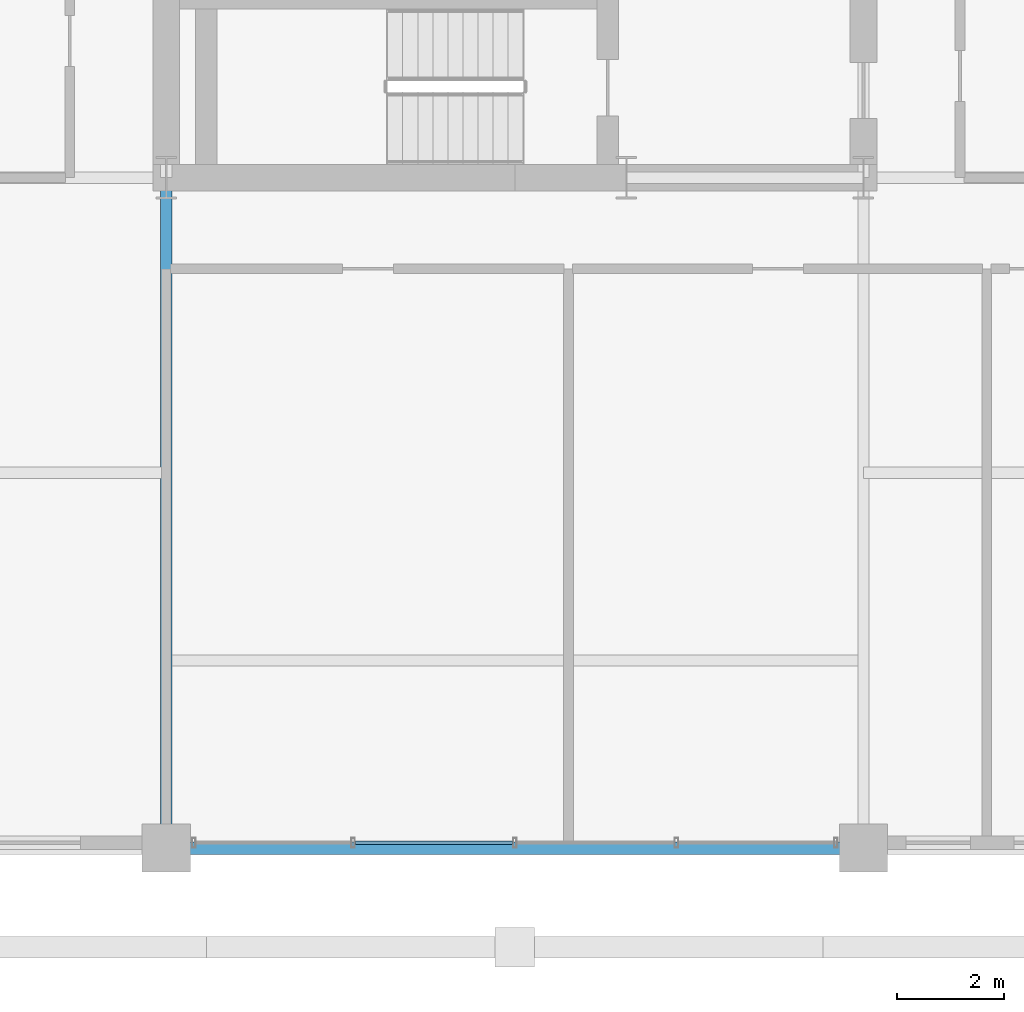
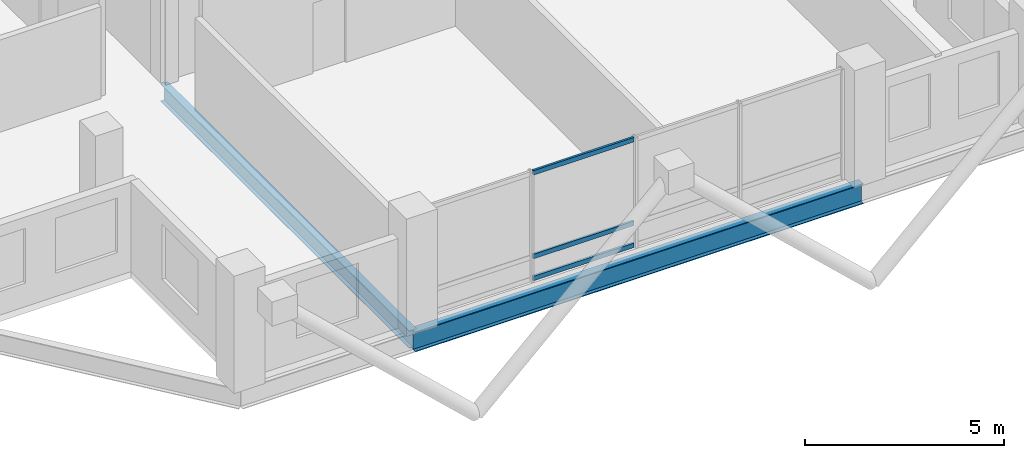
# One storey, part 4 of 22: 3 members, 2 beams, 1 element without a shape of its own.
"""IFC4 building model written with IfcOpenShell, lengths in metres."""

from ifc_helpers import new_model, si_unit, direction, frame, origin, origin_2d, place, context, subcontext, project, spatial, hollow_rectangle, i_section, extrude, material, layer, layer_set, material_profile, profile_set, type_object, element, aggregate, save


model = new_model("IFC4")

# Units and contexts
model_context = context("Model", 3, precision=1e-05, world=origin(), true_north=direction((0.0, 1.0)))
body_context = subcontext(model_context, "Body", "Model", "MODEL_VIEW")
ifc_project = project(units=[si_unit("LENGTHUNIT", "METRE"), si_unit("AREAUNIT", "SQUARE_METRE"), si_unit("VOLUMEUNIT", "CUBIC_METRE"), si_unit("PLANEANGLEUNIT", "RADIAN"), si_unit("MASSUNIT", "GRAM", prefix="KILO")], contexts=[model_context])

# Site, building, storey
site_placement = place(None, origin())
site = spatial("IfcSite", under=ifc_project, at=site_placement, CompositionType="ELEMENT")
building_placement = place(site_placement, origin())
building = spatial("IfcBuilding", under=site, at=building_placement, Name="Barlavira Tower and Art Museum", CompositionType="ELEMENT")
storey_placement = place(building_placement, frame((0.0, 0.0, 258.300048828125)))
storey = spatial("IfcBuildingStorey", under=building, at=storey_placement, Name="L67", CompositionType="ELEMENT", Elevation=258.300048828125)

# Curtain wall, members
ifc_material_1 = material(Name="Low-iron coastal laminated glass", Category="glass")
ifc_layer = layer(ifc_material_1, 0.2099609375, Name="Low-iron coastal laminated glass")
ifc_layer_set = layer_set([ifc_layer], Name="Low-iron coastal laminated glass")
curtain_wall_type = type_object("IfcCurtainWallType", Name="Pale-Metal Unitised Curtain Wall Zone 4", PredefinedType="NOTDEFINED", material=ifc_layer_set)
curtain_wall_placement = place(storey_placement, origin())
curtain_wall = element("IfcCurtainWall", 1, at=curtain_wall_placement, inside=storey, type_object=curtain_wall_type, Name="L67 Curtain Wall CW4-L67-S-B2", PredefinedType="NOTDEFINED")
ifc_material_2 = material(Name="Pale anodised aluminium", Category="aluminium")
ifc_material_profile_1 = material_profile(ifc_material_2, hollow_rectangle(XDim=0.06494140625, YDim=0.139892578125, WallThickness=0.00390625, at=origin_2d()), Name="ALU-TRAN 65x140x4")
ifc_profile_set_1 = profile_set([ifc_material_profile_1], Name="Pale anodised aluminium")
member_type = type_object("IfcMemberType", Name="Curtain Wall Pale-Metal Transom 65x140", PredefinedType="USERDEFINED", material=ifc_profile_set_1)
member_1_placement = place(storey_placement, frame((-2.969970703125, -19.89990234375, 0.070068359375), z_axis=(1.0, 0.0, 0.0), x_axis=(0.0, 1.0, 0.0)))
member_1 = element("IfcMember", 2, at=member_1_placement, type_object=member_type, Name="CW4-L67-S-B2 Transom 1.1", ObjectType="TRANSOM", PredefinedType="USERDEFINED", context=body_context, shape_type="SweptSolid", body=[
    extrude(hollow_rectangle(XDim=0.06494140625, YDim=0.139892578125, WallThickness=0.00390625, at=origin_2d()), origin(), (0.0, 0.0, 1.0), 2.925048828125),
])
member_2_placement = place(storey_placement, frame((-2.969970703125, -19.89990234375, 0.743896484375), z_axis=(1.0, 0.0, 0.0), x_axis=(0.0, 1.0, 0.0)))
member_2 = element("IfcMember", 3, at=member_2_placement, type_object=member_type, Name="CW4-L67-S-B2 Transom 1.2", ObjectType="TRANSOM", PredefinedType="USERDEFINED", context=body_context, shape_type="SweptSolid", body=[
    extrude(hollow_rectangle(XDim=0.06494140625, YDim=0.139892578125, WallThickness=0.00390625, at=origin_2d()), origin(), (0.0, 0.0, 1.0), 2.925048828125),
])
member_3_placement = place(storey_placement, frame((-2.969970703125, -19.89990234375, 3.31005859375), z_axis=(1.0, 0.0, 0.0), x_axis=(0.0, 1.0, 0.0)))
member_3 = element("IfcMember", 4, at=member_3_placement, type_object=member_type, Name="CW4-L67-S-B2 Transom 1.3", ObjectType="TRANSOM", PredefinedType="USERDEFINED", context=body_context, shape_type="SweptSolid", body=[
    extrude(hollow_rectangle(XDim=0.06494140625, YDim=0.139892578125, WallThickness=0.00390625, at=origin_2d()), origin(), (0.0, 0.0, 1.0), 2.925048828125),
])
aggregate(curtain_wall, [member_1, member_2, member_3])

# Beams
ifc_material_3 = material(Name="Steel S355", Category="steel")
ifc_material_profile_2 = material_profile(ifc_material_3, i_section(OverallWidth=0.22998046875, OverallDepth=0.616943359375, WebThickness=0.01318359375, FlangeThickness=0.022216796875, at=origin_2d()), Name="W610x140.0")
ifc_profile_set_2 = profile_set([ifc_material_profile_2], Name="Steel S355")
beam_type_1 = type_object("IfcBeamType", Name="Upper Shaft Spandrel Edge Beam W610x140 Steel S355", PredefinedType="SPANDREL", material=ifc_profile_set_2)
beam_1_placement = place(storey_placement, frame((-6.5, -20.0, -0.528564453125), z_axis=(1.0, 0.0, 0.0), x_axis=(0.0, 1.0, 0.0)))
element("IfcBeam", 5, at=beam_1_placement, inside=storey, type_object=beam_type_1, Name="L67 Spandrel 2", PredefinedType="SPANDREL", context=body_context, shape_type="SweptSolid", body=[
    extrude(i_section(OverallWidth=0.22998046875, OverallDepth=0.616943359375, WebThickness=0.01318359375, FlangeThickness=0.022216796875, at=origin_2d()), origin(), (0.0, 0.0, 1.0), 13.0),
])
ifc_material_profile_3 = material_profile(ifc_material_3, i_section(OverallWidth=0.2109375, OverallDepth=0.5390625, WebThickness=0.01171875, FlangeThickness=0.018798828125, at=origin_2d()), Name="W530x109.0")
ifc_profile_set_3 = profile_set([ifc_material_profile_3], Name="Steel S355")
beam_type_2 = type_object("IfcBeamType", Name="Zone 3-4 Primary Floor Girder W530x109 Steel S355", PredefinedType="BEAM", material=ifc_profile_set_3)
beam_2_placement = place(storey_placement, frame((-6.5, -20.0, -0.489501953125), z_axis=(0.0, 1.0, 0.0), x_axis=(-1.0, 0.0, 0.0)))
element("IfcBeam", 6, at=beam_2_placement, inside=storey, type_object=beam_type_2, Name="L67 Girder R-S1", PredefinedType="BEAM", context=body_context, shape_type="SweptSolid", body=[
    extrude(i_section(OverallWidth=0.2109375, OverallDepth=0.5390625, WebThickness=0.01171875, FlangeThickness=0.018798828125, at=origin_2d()), origin(), (0.0, 0.0, 1.0), 12.5),
])

save(model, "model.ifc")
